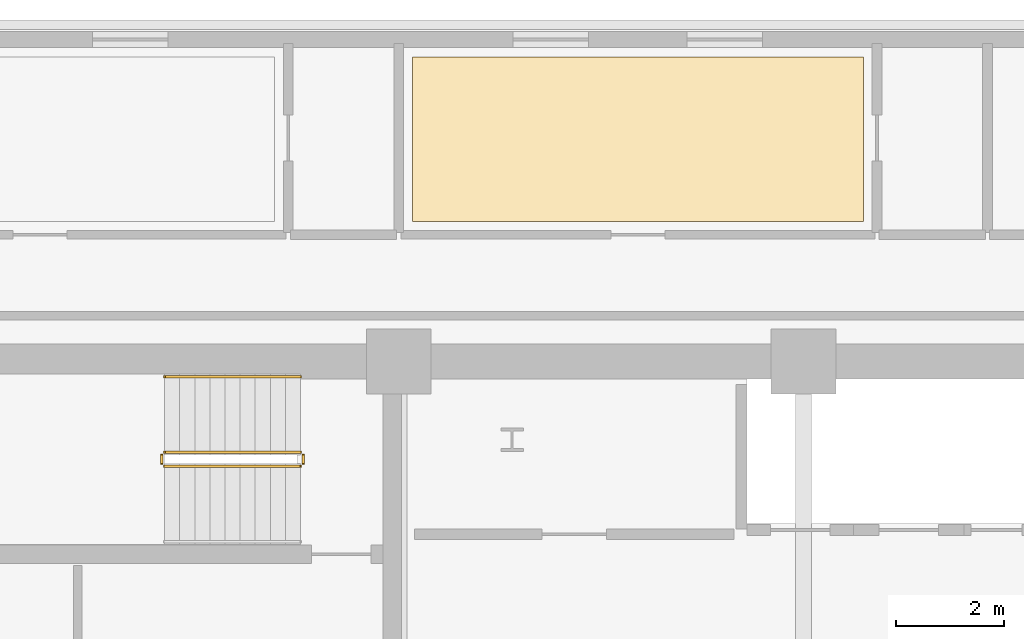
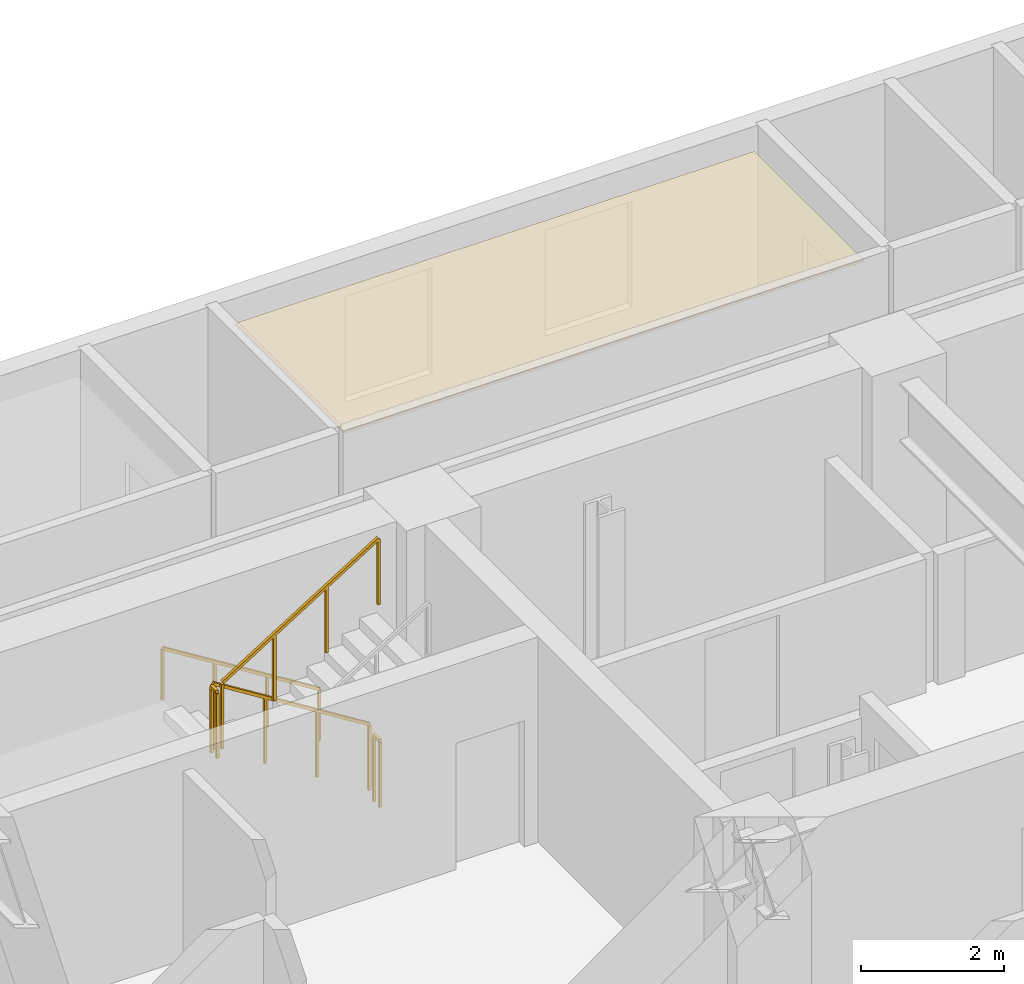
# One storey, part 13 of 14: 5 railings, 1 covering.
"""IFC4 building model written with IfcOpenShell, lengths in metres."""

from ifc_helpers import new_model, si_unit, direction, frame, origin, origin_2d, place, context, subcontext, project, spatial, polyline, rectangle, outline, extrude, material, layer, layer_set, type_object, element, save


model = new_model("IFC4")

# Units and contexts
model_context = context("Model", 3, precision=1e-05, world=origin(), true_north=direction((0.0, 1.0)))
body_context = subcontext(model_context, "Body", "Model", "MODEL_VIEW")
ifc_project = project(units=[si_unit("LENGTHUNIT", "METRE"), si_unit("AREAUNIT", "SQUARE_METRE"), si_unit("VOLUMEUNIT", "CUBIC_METRE"), si_unit("PLANEANGLEUNIT", "RADIAN"), si_unit("MASSUNIT", "GRAM", prefix="KILO")], contexts=[model_context])

# Site, building, storey
site_placement = place(None, origin())
site = spatial("IfcSite", under=ifc_project, at=site_placement, CompositionType="ELEMENT")
building_placement = place(site_placement, origin())
building = spatial("IfcBuilding", under=site, at=building_placement, Name="Zarnavel Station Tower", CompositionType="ELEMENT")
storey_placement = place(building_placement, frame((0.0, 0.0, 108.300048828125)))
storey = spatial("IfcBuildingStorey", under=building, at=storey_placement, Name="L29", CompositionType="ELEMENT", Elevation=108.300048828125)

# Covering
ifc_material_1 = material(Name="Perforated Gypsum and Mineral-Wool Acoustic Ceiling", Category="concrete")
ifc_layer = layer(ifc_material_1, 0.0400390625)
ifc_layer_set = layer_set([ifc_layer], Name="COV_CEIL_ACOUSTIC")
covering_type = type_object("IfcCoveringType", Name="COV_CEIL_ACOUSTIC", PredefinedType="CEILING", material=ifc_layer_set)
covering_placement = place(storey_placement, frame((0.0, 0.0, 2.919921875)))
element("IfcCovering", 1, at=covering_placement, inside=storey, type_object=covering_type, Name="L29 HN2R Acoustic Ceiling", PredefinedType="CEILING", context=body_context, shape_type="SweptSolid", body=[
    extrude(outline(polyline([(21.550048828125, 39.64990234375), (29.910888671875, 39.64990234375), (29.910888671875, 42.68994140625), (21.550048828125, 42.68994140625), (21.550048828125, 39.64990234375)])), origin(), (0.0, 0.0, 1.0), 0.0400390625),
])

# Railings
ifc_material_2 = material(Name="Painted Steel S355J2 Balustrade", Category="steel")
railing_type_1 = type_object("IfcRailingType", Name="GR_INT_1150", PredefinedType="GUARDRAIL", material=ifc_material_2)
railing_1_placement = place(storey_placement, frame((19.47998046875, 35.3701171875, 0.175048828125)))
element("IfcRailing", 2, at=railing_1_placement, inside=storey, type_object=railing_type_1, Name="L29 ST1 stair guard 1", PredefinedType="GUARDRAIL", context=body_context, shape_type="SweptSolid", body=[
    extrude(rectangle(XDim=0.048095703125, YDim=0.048095703125, at=origin_2d()), frame((-0.001708984375, 0.0, 1.126953125), z_axis=(-0.848007534815, 0.0, 0.529984170421), x_axis=(0.0, -1.0, 0.0)), (0.0, 0.0, 1.0), 2.9677734375),
    extrude(rectangle(XDim=0.0419921875, YDim=0.0419921875, at=origin_2d()), origin(), (0.0, 0.0, 1.0), 1.101806640625),
    extrude(rectangle(XDim=0.0419921875, YDim=0.0419921875, at=origin_2d()), frame((-0.840087890625, 0.0, 0.52490234375)), (0.0, 0.0, 1.0), 1.101806640625),
    extrude(rectangle(XDim=0.0419921875, YDim=0.0419921875, at=origin_2d()), frame((-1.679931640625, 0.0, 1.050048828125)), (0.0, 0.0, 1.0), 1.101806640625),
    extrude(rectangle(XDim=0.0419921875, YDim=0.0419921875, at=origin_2d()), frame((-2.52001953125, 0.0, 1.574951171875)), (0.0, 0.0, 1.0), 1.101806640625),
])
railing_2_placement = place(storey_placement, frame((16.909912109375, 35.320068359375, 1.75)))
element("IfcRailing", 3, at=railing_2_placement, inside=storey, type_object=railing_type_1, Name="L29 ST1 stair guard 2", PredefinedType="GUARDRAIL", context=body_context, shape_type="SweptSolid", body=[
    extrude(rectangle(XDim=0.048095703125, YDim=0.048095703125, at=origin_2d()), frame((0.0, -0.001953125, 1.1259765625), z_axis=(0.0, -1.0, 0.0), x_axis=(1.0, 0.0, 0.0)), (0.0, 0.0, 1.0), 0.15625),
    extrude(rectangle(XDim=0.0419921875, YDim=0.0419921875, at=origin_2d()), origin(), (0.0, 0.0, 1.0), 1.101806640625),
    extrude(rectangle(XDim=0.0419921875, YDim=0.0419921875, at=origin_2d()), frame((0.0, -0.16015625, 0.0)), (0.0, 0.0, 1.0), 1.101806640625),
])
railing_3_placement = place(storey_placement, frame((16.9599609375, 35.110107421875, 1.925048828125)))
element("IfcRailing", 4, at=railing_3_placement, inside=storey, type_object=railing_type_1, Name="L29 ST1 stair guard 3", PredefinedType="GUARDRAIL", context=body_context, shape_type="SweptSolid", body=[
    extrude(rectangle(XDim=0.048095703125, YDim=0.048095703125, at=origin_2d()), frame((0.001708984375, 0.0, 1.126953125), z_axis=(0.848007534815, 0.0, 0.529984170421), x_axis=(0.0, 1.0, 0.0)), (0.0, 0.0, 1.0), 2.9677734375),
    extrude(rectangle(XDim=0.0419921875, YDim=0.0419921875, at=origin_2d()), origin(), (0.0, 0.0, 1.0), 1.101806640625),
    extrude(rectangle(XDim=0.0419921875, YDim=0.0419921875, at=origin_2d()), frame((0.840087890625, 0.0, 0.52490234375)), (0.0, 0.0, 1.0), 1.101806640625),
    extrude(rectangle(XDim=0.0419921875, YDim=0.0419921875, at=origin_2d()), frame((1.679931640625, 0.0, 1.050048828125)), (0.0, 0.0, 1.0), 1.101806640625),
    extrude(rectangle(XDim=0.0419921875, YDim=0.0419921875, at=origin_2d()), frame((2.52001953125, 0.0, 1.574951171875)), (0.0, 0.0, 1.0), 1.101806640625),
])
railing_4_placement = place(storey_placement, frame((19.530029296875, 35.320068359375, 0.0)))
element("IfcRailing", 5, at=railing_4_placement, inside=storey, type_object=railing_type_1, Name="L29 ST1 stair guard 4", PredefinedType="GUARDRAIL", context=body_context, shape_type="SweptSolid", body=[
    extrude(rectangle(XDim=0.048095703125, YDim=0.048095703125, at=origin_2d()), frame((0.0, -0.001953125, 1.1259765625), z_axis=(0.0, -1.0, 0.0), x_axis=(1.0, 0.0, 0.0)), (0.0, 0.0, 1.0), 0.15625),
    extrude(rectangle(XDim=0.0419921875, YDim=0.0419921875, at=origin_2d()), origin(), (0.0, 0.0, 1.0), 1.101806640625),
    extrude(rectangle(XDim=0.0419921875, YDim=0.0419921875, at=origin_2d()), frame((0.0, -0.16015625, 0.0)), (0.0, 0.0, 1.0), 1.101806640625),
])
ifc_material_3 = material(Name="Brushed Stainless Steel S355J2 Handrail", Category="steel")
railing_type_2 = type_object("IfcRailingType", Name="HR_STAIR_900", PredefinedType="HANDRAIL", material=ifc_material_3)
railing_5_placement = place(storey_placement, frame((19.47998046875, 36.77001953125, 0.175048828125)))
element("IfcRailing", 6, at=railing_5_placement, inside=storey, type_object=railing_type_2, Name="L29 ST1 stair handrail 1", PredefinedType="HANDRAIL", context=body_context, shape_type="SweptSolid", body=[
    extrude(rectangle(XDim=0.048095703125, YDim=0.048095703125, at=origin_2d()), frame((-0.001708984375, 0.0, 0.876953125), z_axis=(-0.848007534815, 0.0, 0.529984170421), x_axis=(0.0, -1.0, 0.0)), (0.0, 0.0, 1.0), 2.9677734375),
    extrude(rectangle(XDim=0.0419921875, YDim=0.0419921875, at=origin_2d()), origin(), (0.0, 0.0, 1.0), 0.851806640625),
    extrude(rectangle(XDim=0.0419921875, YDim=0.0419921875, at=origin_2d()), frame((-0.840087890625, 0.0, 0.52490234375)), (0.0, 0.0, 1.0), 0.851806640625),
    extrude(rectangle(XDim=0.0419921875, YDim=0.0419921875, at=origin_2d()), frame((-1.679931640625, 0.0, 1.050048828125)), (0.0, 0.0, 1.0), 0.851806640625),
    extrude(rectangle(XDim=0.0419921875, YDim=0.0419921875, at=origin_2d()), frame((-2.52001953125, 0.0, 1.574951171875)), (0.0, 0.0, 1.0), 0.851806640625),
])

save(model, "model.ifc")
